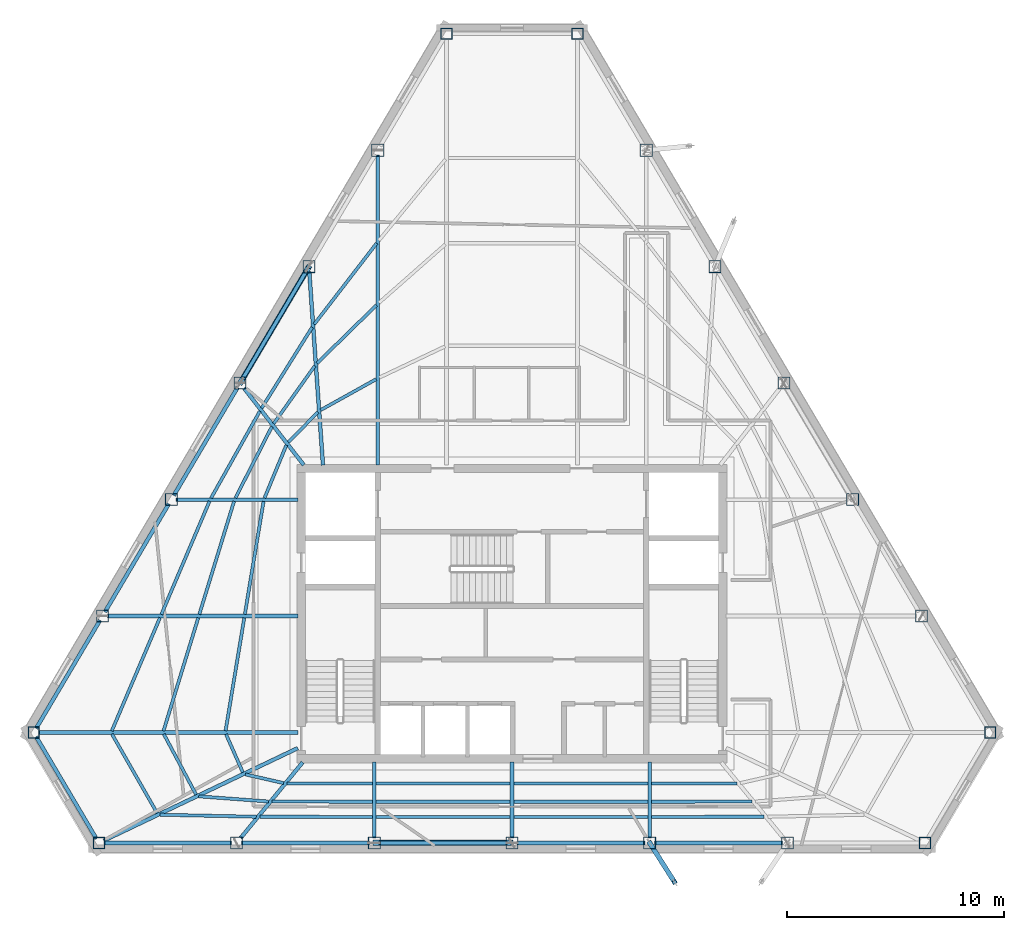
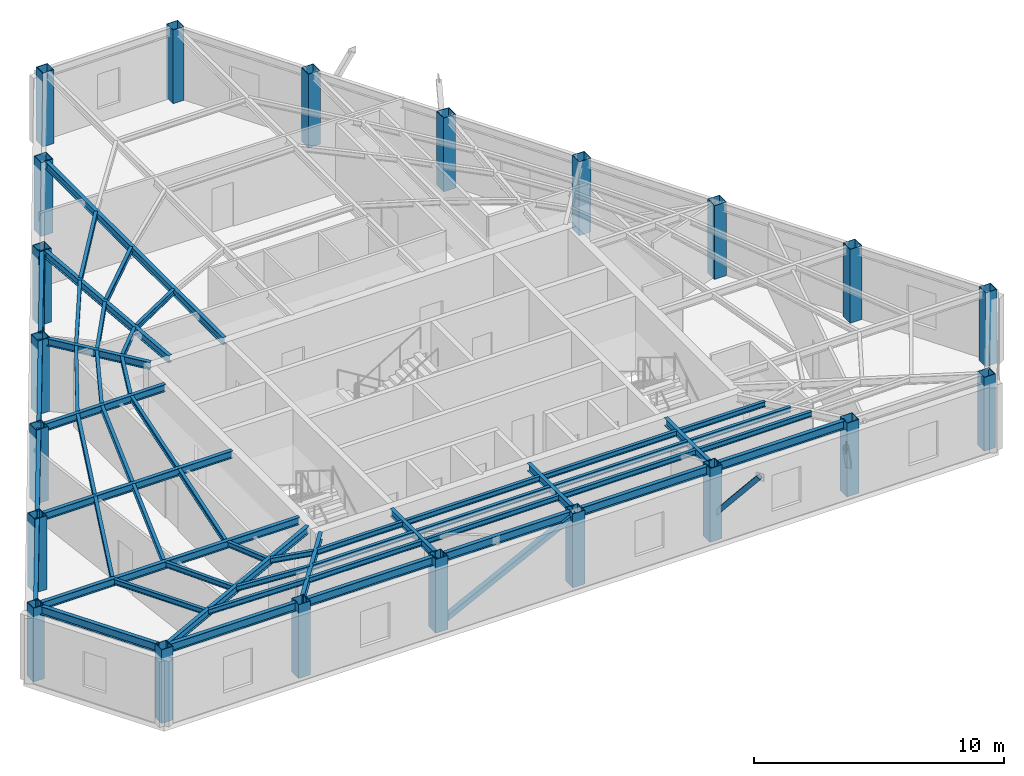
# One storey, part 1 of 10: 54 beams, 21 columns, 3 members.
"""IFC4 building model written with IfcOpenShell, lengths in metres."""

from ifc_helpers import new_model, si_unit, direction, frame, origin, origin_2d, place, context, subcontext, project, spatial, hollow_rectangle, i_section, extrude, material, material_profile, profile_set, type_object, element, save


model = new_model("IFC4")

# Units and contexts
model_context = context("Model", 3, precision=1e-05, world=origin(), true_north=direction((0.0, 1.0)))
body_context = subcontext(model_context, "Body", "Model", "MODEL_VIEW")
ifc_project = project(units=[si_unit("LENGTHUNIT", "METRE"), si_unit("AREAUNIT", "SQUARE_METRE"), si_unit("VOLUMEUNIT", "CUBIC_METRE"), si_unit("PLANEANGLEUNIT", "RADIAN"), si_unit("MASSUNIT", "GRAM", prefix="KILO")], contexts=[model_context])

# Site, building, storey
site_placement = place(None, origin())
site = spatial("IfcSite", under=ifc_project, at=site_placement, CompositionType="ELEMENT")
building_placement = place(site_placement, origin())
building = spatial("IfcBuilding", under=site, at=building_placement, Name="Kavelnor Concourse Tower", CompositionType="ELEMENT")
storey_placement = place(building_placement, frame((0.0, 0.0, 274.14990234375)))
storey = spatial("IfcBuildingStorey", under=building, at=storey_placement, Name="L69", CompositionType="ELEMENT", Elevation=274.14990234375)

# Columns
ifc_material = material(Name="Steel Grade 350", Category="steel")
ifc_material_profile_1 = material_profile(ifc_material, hollow_rectangle(XDim=0.52001953125, YDim=0.52001953125, WallThickness=0.02392578125, at=origin_2d()), Name="SHS 520x520x24")
ifc_profile_set_1 = profile_set([ifc_material_profile_1], Name="Steel Grade 350")
column_type_1 = type_object("IfcColumnType", Name="COL-FOLD-Z4", PredefinedType="COLUMN", material=ifc_profile_set_1)
for number, where, z_axis, x_axis, name in (
    (1, (34.9853515625, 42.81396484375, 0.0), (0.0, 0.0, 1.0), (1.0, 0.0, 0.0), "L69 Perimeter Corner-Fold Column F0-B0"),
    (2, (15.963623046875, 10.622314453125, 0.0), (0.0, 0.0, 1.0), (1.0, 0.0, 0.0), "L69 Perimeter Corner-Fold Column F0-B6"),
    (3, (18.968505859375, 5.536865234375, 0.0), (0.0, 0.0, 1.0), (1.0, 0.0, 0.0), "L69 Perimeter Corner-Fold Column F1-B0"),
    (4, (57.031494140625, 5.536865234375, 0.0), (0.0, 0.0, 1.0), (1.0, 0.0, 0.0), "L69 Perimeter Corner-Fold Column F1-B6"),
    (5, (60.036376953125, 10.622314453125, 0.0), (0.0, 0.0, 1.0), (1.0, 0.0, 0.0), "L69 Perimeter Corner-Fold Column F2-B0"),
    (6, (41.0146484375, 42.81396484375, 0.0), (0.0, 0.0, 1.0), (1.0, 0.0, 0.0), "L69 Perimeter Corner-Fold Column F2-B6"),
):
    element("IfcColumn", number, at=place(storey_placement, frame(where, z_axis=z_axis, x_axis=x_axis)), inside=storey, type_object=column_type_1, Name=name, PredefinedType="COLUMN", context=body_context, shape_type="SweptSolid", body=[
        extrude(hollow_rectangle(XDim=0.52001953125, YDim=0.52001953125, WallThickness=0.02392578125, at=origin_2d()), origin(), (0.0, 0.0, 1.0), 3.610107421875),
    ])
ifc_material_profile_2 = material_profile(ifc_material, hollow_rectangle(XDim=0.56005859375, YDim=0.56005859375, WallThickness=0.02490234375, at=origin_2d()), Name="SHS 560x560x25")
ifc_profile_set_2 = profile_set([ifc_material_profile_2], Name="Steel Grade 350")
column_type_2 = type_object("IfcColumnType", Name="COL-TUBE-Z4", PredefinedType="COLUMN", material=ifc_profile_set_2)
for number, where, z_axis, x_axis, name in (
    (7, (31.81494140625, 37.448486328125, 0.0), (0.0, 0.0, 1.0), (1.0, 0.0, 0.0), "L69 Perimeter Framed-Tube Column F0-B1"),
    (8, (28.644775390625, 32.08349609375, 0.0), (0.0, 0.0, 1.0), (1.0, 0.0, 0.0), "L69 Perimeter Framed-Tube Column F0-B2"),
    (9, (25.474609375, 26.718017578125, 0.0), (0.0, 0.0, 1.0), (1.0, 0.0, 0.0), "L69 Perimeter Framed-Tube Column F0-B3"),
    (10, (22.30419921875, 21.352783203125, 0.0), (0.0, 0.0, 1.0), (1.0, 0.0, 0.0), "L69 Perimeter Framed-Tube Column F0-B4"),
    (11, (19.1337890625, 15.987548828125, 0.0), (0.0, 0.0, 1.0), (1.0, 0.0, 0.0), "L69 Perimeter Framed-Tube Column F0-B5"),
    (12, (25.3125, 5.536865234375, 0.0), (0.0, 0.0, 1.0), (1.0, 0.0, 0.0), "L69 Perimeter Framed-Tube Column F1-B1"),
    (13, (31.65625, 5.536865234375, 0.0), (0.0, 0.0, 1.0), (1.0, 0.0, 0.0), "L69 Perimeter Framed-Tube Column F1-B2"),
    (14, (38.0, 5.536865234375, 0.0), (0.0, 0.0, 1.0), (1.0, 0.0, 0.0), "L69 Perimeter Framed-Tube Column F1-B3"),
    (15, (44.34375, 5.536865234375, 0.0), (0.0, 0.0, 1.0), (1.0, 0.0, 0.0), "L69 Perimeter Framed-Tube Column F1-B4"),
    (16, (50.6875, 5.536865234375, 0.0), (0.0, 0.0, 1.0), (1.0, 0.0, 0.0), "L69 Perimeter Framed-Tube Column F1-B5"),
    (17, (56.8662109375, 15.987548828125, 0.0), (0.0, 0.0, 1.0), (1.0, 0.0, 0.0), "L69 Perimeter Framed-Tube Column F2-B1"),
    (18, (53.69580078125, 21.352783203125, 0.0), (0.0, 0.0, 1.0), (1.0, 0.0, 0.0), "L69 Perimeter Framed-Tube Column F2-B2"),
    (19, (50.525390625, 26.718017578125, 0.0), (0.0, 0.0, 1.0), (1.0, 0.0, 0.0), "L69 Perimeter Framed-Tube Column F2-B3"),
    (20, (47.355224609375, 32.08349609375, 0.0), (0.0, 0.0, 1.0), (1.0, 0.0, 0.0), "L69 Perimeter Framed-Tube Column F2-B4"),
    (21, (44.18505859375, 37.448486328125, 0.0), (0.0, 0.0, 1.0), (1.0, 0.0, 0.0), "L69 Perimeter Framed-Tube Column F2-B5"),
):
    element("IfcColumn", number, at=place(storey_placement, frame(where, z_axis=z_axis, x_axis=x_axis)), inside=storey, type_object=column_type_2, Name=name, PredefinedType="COLUMN", context=body_context, shape_type="SweptSolid", body=[
        extrude(hollow_rectangle(XDim=0.56005859375, YDim=0.56005859375, WallThickness=0.02490234375, at=origin_2d()), origin(), (0.0, 0.0, 1.0), 3.610107421875),
    ])

# Beams
ifc_material_profile_3 = material_profile(ifc_material, i_section(OverallWidth=0.14599609375, OverallDepth=0.256103515625, WebThickness=0.00634765625, FlangeThickness=0.010986328125, at=origin_2d()), Name="250UB37")
ifc_profile_set_3 = profile_set([ifc_material_profile_3], Name="Steel Grade 350")
beam_type_1 = type_object("IfcBeamType", Name="BM-JOIST-250", PredefinedType="JOIST", material=ifc_profile_set_3)
beam_1_placement = place(storey_placement, frame((25.66650390625, 15.90673828125, 3.482177734375), z_axis=(-0.163212884705, -0.986590874814, 0.0), x_axis=(0.986590874814, -0.163212884705, 0.0)))
element("IfcBeam", 22, at=beam_1_placement, inside=storey, type_object=beam_type_1, Name="L69 Secondary Composite Joist 01-1", PredefinedType="JOIST", context=body_context, shape_type="SweptSolid", body=[
    extrude(i_section(OverallWidth=0.14599609375, OverallDepth=0.256103515625, WebThickness=0.00634765625, FlangeThickness=0.010986328125, at=origin_2d()), origin(), (0.0, 0.0, 1.0), 5.2744140625),
])
beam_2_placement = place(storey_placement, frame((23.547119140625, 15.9091796875, 3.482177734375), z_axis=(-0.293704851404, -0.955896155585, 0.0), x_axis=(0.955896155585, -0.293704851404, 0.0)))
element("IfcBeam", 23, at=beam_2_placement, inside=storey, type_object=beam_type_1, Name="L69 Secondary Composite Joist 01-2", PredefinedType="JOIST", context=body_context, shape_type="SweptSolid", body=[
    extrude(i_section(OverallWidth=0.14599609375, OverallDepth=0.256103515625, WebThickness=0.00634765625, FlangeThickness=0.010986328125, at=origin_2d()), origin(), (0.0, 0.0, 1.0), 5.44873046875),
])
beam_3_placement = place(storey_placement, frame((21.781982421875, 15.912109375, 3.482177734375), z_axis=(-0.391500058088, -0.920178083046, 0.0), x_axis=(0.920178083046, -0.391500058088, 0.0)))
element("IfcBeam", 24, at=beam_3_placement, inside=storey, type_object=beam_type_1, Name="L69 Secondary Composite Joist 01-3", PredefinedType="JOIST", context=body_context, shape_type="SweptSolid", body=[
    extrude(i_section(OverallWidth=0.14599609375, OverallDepth=0.256103515625, WebThickness=0.00634765625, FlangeThickness=0.010986328125, at=origin_2d()), origin(), (0.0, 0.0, 1.0), 5.666748046875),
])
beam_4_placement = place(storey_placement, frame((24.8251953125, 10.547119140625, 3.482177734375), z_axis=(0.40265770896, -0.91535062649, 0.0), x_axis=(0.91535062649, 0.40265770896, 0.0)))
element("IfcBeam", 25, at=beam_4_placement, inside=storey, type_object=beam_type_1, Name="L69 Secondary Composite Joist 02-1", PredefinedType="JOIST", context=body_context, shape_type="SweptSolid", body=[
    extrude(i_section(OverallWidth=0.14599609375, OverallDepth=0.256103515625, WebThickness=0.00634765625, FlangeThickness=0.010986328125, at=origin_2d()), origin(), (0.0, 0.0, 1.0), 1.92138671875),
])
beam_5_placement = place(storey_placement, frame((21.961181640625, 10.5498046875, 3.482177734375), z_axis=(0.470371602225, -0.88246844466, 0.0), x_axis=(0.88246844466, 0.470371602225, 0.0)))
element("IfcBeam", 26, at=beam_5_placement, inside=storey, type_object=beam_type_1, Name="L69 Secondary Composite Joist 02-2", PredefinedType="JOIST", context=body_context, shape_type="SweptSolid", body=[
    extrude(i_section(OverallWidth=0.14599609375, OverallDepth=0.256103515625, WebThickness=0.00634765625, FlangeThickness=0.010986328125, at=origin_2d()), origin(), (0.0, 0.0, 1.0), 3.158935546875),
])
beam_6_placement = place(storey_placement, frame((19.572021484375, 10.551025390625, 3.482177734375), z_axis=(0.496589958809, -0.86798526071, 0.0), x_axis=(0.86798526071, 0.496589958809, 0.0)))
element("IfcBeam", 27, at=beam_6_placement, inside=storey, type_object=beam_type_1, Name="L69 Secondary Composite Joist 02-3", PredefinedType="JOIST", context=body_context, shape_type="SweptSolid", body=[
    extrude(i_section(OverallWidth=0.14599609375, OverallDepth=0.256103515625, WebThickness=0.00634765625, FlangeThickness=0.010986328125, at=origin_2d()), origin(), (0.0, 0.0, 1.0), 4.196533203125),
])
beam_7_placement = place(storey_placement, frame((25.7119140625, 8.695068359375, 3.482177734375), z_axis=(0.975037356762, -0.222040881188, 0.0), x_axis=(0.222040881188, 0.975037356762, 0.0)))
element("IfcBeam", 28, at=beam_7_placement, inside=storey, type_object=beam_type_1, Name="L69 Secondary Composite Joist 03-1", PredefinedType="JOIST", context=body_context, shape_type="SweptSolid", body=[
    extrude(i_section(OverallWidth=0.14599609375, OverallDepth=0.256103515625, WebThickness=0.00634765625, FlangeThickness=0.010986328125, at=origin_2d()), origin(), (0.0, 0.0, 1.0), 1.809814453125),
])
beam_8_placement = place(storey_placement, frame((23.567138671875, 7.683837890625, 3.482177734375), z_axis=(0.997260120834, -0.073974667245, 0.0), x_axis=(0.073974667245, 0.997260120834, 0.0)))
element("IfcBeam", 29, at=beam_8_placement, inside=storey, type_object=beam_type_1, Name="L69 Secondary Composite Joist 03-2", PredefinedType="JOIST", context=body_context, shape_type="SweptSolid", body=[
    extrude(i_section(OverallWidth=0.14599609375, OverallDepth=0.256103515625, WebThickness=0.00634765625, FlangeThickness=0.010986328125, at=origin_2d()), origin(), (0.0, 0.0, 1.0), 3.23095703125),
])
beam_9_placement = place(storey_placement, frame((21.77880859375, 6.835693359375, 3.482177734375), z_axis=(0.999783986055, -0.0207841581, 0.0), x_axis=(0.0207841581, 0.999783986055, 0.0)))
element("IfcBeam", 30, at=beam_9_placement, inside=storey, type_object=beam_type_1, Name="L69 Secondary Composite Joist 03-3", PredefinedType="JOIST", context=body_context, shape_type="SweptSolid", body=[
    extrude(i_section(OverallWidth=0.14599609375, OverallDepth=0.256103515625, WebThickness=0.00634765625, FlangeThickness=0.010986328125, at=origin_2d()), origin(), (0.0, 0.0, 1.0), 4.440185546875),
])
beam_10_placement = place(storey_placement, frame((27.638671875, 8.275146484375, 3.482177734375), z_axis=(0.999999507417, 0.000992555342, 0.0), x_axis=(-0.000992555342, 0.999999507417, 0.0)))
element("IfcBeam", 31, at=beam_10_placement, inside=storey, type_object=beam_type_1, Name="L69 Secondary Composite Joist 04-1", PredefinedType="JOIST", context=body_context, shape_type="SweptSolid", body=[
    extrude(i_section(OverallWidth=0.14599609375, OverallDepth=0.256103515625, WebThickness=0.00634765625, FlangeThickness=0.010986328125, at=origin_2d()), origin(), (0.0, 0.0, 1.0), 3.935546875),
])
beam_11_placement = place(storey_placement, frame((26.953125, 7.438720703125, 3.482177734375), z_axis=(0.999999994418, -0.000105663567, 0.0), x_axis=(0.000105663567, 0.999999994418, 0.0)))
element("IfcBeam", 32, at=beam_11_placement, inside=storey, type_object=beam_type_1, Name="L69 Secondary Composite Joist 04-2", PredefinedType="JOIST", context=body_context, shape_type="SweptSolid", body=[
    extrude(i_section(OverallWidth=0.14599609375, OverallDepth=0.256103515625, WebThickness=0.00634765625, FlangeThickness=0.010986328125, at=origin_2d()), origin(), (0.0, 0.0, 1.0), 4.62109375),
])
beam_12_placement = place(storey_placement, frame((26.3818359375, 6.74169921875, 3.482177734375), z_axis=(0.99999971702, -0.000752303718, 0.0), x_axis=(0.000752303718, 0.99999971702, 0.0)))
element("IfcBeam", 33, at=beam_12_placement, inside=storey, type_object=beam_type_1, Name="L69 Secondary Composite Joist 04-3", PredefinedType="JOIST", context=body_context, shape_type="SweptSolid", body=[
    extrude(i_section(OverallWidth=0.14599609375, OverallDepth=0.256103515625, WebThickness=0.00634765625, FlangeThickness=0.010986328125, at=origin_2d()), origin(), (0.0, 0.0, 1.0), 5.1923828125),
])
for number, where, z_axis, x_axis, name in (
    (34, (31.73828125, 8.279052734375, 3.482177734375), (1.0, 0.0, 0.0), (0.0, 1.0, 0.0), "L69 Secondary Composite Joist 05-1"),
    (35, (31.73828125, 7.438232421875, 3.482177734375), (1.0, 0.0, 0.0), (0.0, 1.0, 0.0), "L69 Secondary Composite Joist 05-2"),
    (36, (31.73828125, 6.73779296875, 3.482177734375), (1.0, 0.0, 0.0), (0.0, 1.0, 0.0), "L69 Secondary Composite Joist 05-3"),
    (37, (38.08203125, 8.279052734375, 3.482177734375), (1.0, 0.0, 0.0), (0.0, 1.0, 0.0), "L69 Secondary Composite Joist 06-1"),
    (38, (38.08203125, 7.438232421875, 3.482177734375), (1.0, 0.0, 0.0), (0.0, 1.0, 0.0), "L69 Secondary Composite Joist 06-2"),
    (39, (38.08203125, 6.73779296875, 3.482177734375), (1.0, 0.0, 0.0), (0.0, 1.0, 0.0), "L69 Secondary Composite Joist 06-3"),
):
    element("IfcBeam", number, at=place(storey_placement, frame(where, z_axis=z_axis, x_axis=x_axis)), inside=storey, type_object=beam_type_1, Name=name, PredefinedType="JOIST", context=body_context, shape_type="SweptSolid", body=[
        extrude(i_section(OverallWidth=0.14599609375, OverallDepth=0.256103515625, WebThickness=0.00634765625, FlangeThickness=0.010986328125, at=origin_2d()), origin(), (0.0, 0.0, 1.0), 6.1796875),
    ])
beam_13_placement = place(storey_placement, frame((44.42578125, 8.279052734375, 3.482177734375), z_axis=(0.999999507417, -0.000992555342, 0.0), x_axis=(0.000992555342, 0.999999507417, 0.0)))
element("IfcBeam", 40, at=beam_13_placement, inside=storey, type_object=beam_type_1, Name="L69 Secondary Composite Joist 07-1", PredefinedType="JOIST", context=body_context, shape_type="SweptSolid", body=[
    extrude(i_section(OverallWidth=0.14599609375, OverallDepth=0.256103515625, WebThickness=0.00634765625, FlangeThickness=0.010986328125, at=origin_2d()), origin(), (0.0, 0.0, 1.0), 3.935546875),
])
beam_14_placement = place(storey_placement, frame((44.42578125, 7.438232421875, 3.482177734375), z_axis=(0.999999994418, 0.000105663567, 0.0), x_axis=(-0.000105663567, 0.999999994418, 0.0)))
element("IfcBeam", 41, at=beam_14_placement, inside=storey, type_object=beam_type_1, Name="L69 Secondary Composite Joist 07-2", PredefinedType="JOIST", context=body_context, shape_type="SweptSolid", body=[
    extrude(i_section(OverallWidth=0.14599609375, OverallDepth=0.256103515625, WebThickness=0.00634765625, FlangeThickness=0.010986328125, at=origin_2d()), origin(), (0.0, 0.0, 1.0), 4.62109375),
])
beam_15_placement = place(storey_placement, frame((44.42578125, 6.73779296875, 3.482177734375), z_axis=(0.99999971702, 0.000752303718, 0.0), x_axis=(-0.000752303718, 0.99999971702, 0.0)))
element("IfcBeam", 42, at=beam_15_placement, inside=storey, type_object=beam_type_1, Name="L69 Secondary Composite Joist 07-3", PredefinedType="JOIST", context=body_context, shape_type="SweptSolid", body=[
    extrude(i_section(OverallWidth=0.14599609375, OverallDepth=0.256103515625, WebThickness=0.00634765625, FlangeThickness=0.010986328125, at=origin_2d()), origin(), (0.0, 0.0, 1.0), 5.1923828125),
])
beam_16_placement = place(storey_placement, frame((31.743408203125, 26.90087890625, 3.482177734375), z_axis=(-0.873846112907, -0.486202602788, 0.0), x_axis=(0.486202602788, -0.873846112907, 0.0)))
element("IfcBeam", 43, at=beam_16_placement, inside=storey, type_object=beam_type_1, Name="L69 Secondary Composite Joist 18-1", PredefinedType="JOIST", context=body_context, shape_type="SweptSolid", body=[
    extrude(i_section(OverallWidth=0.14599609375, OverallDepth=0.256103515625, WebThickness=0.00634765625, FlangeThickness=0.010986328125, at=origin_2d()), origin(), (0.0, 0.0, 1.0), 2.925537109375),
])
beam_17_placement = place(storey_placement, frame((31.75634765625, 30.312744140625, 3.482177734375), z_axis=(-0.714755648528, -0.699374265253, 0.0), x_axis=(0.699374265253, -0.714755648528, 0.0)))
element("IfcBeam", 44, at=beam_17_placement, inside=storey, type_object=beam_type_1, Name="L69 Secondary Composite Joist 18-2", PredefinedType="JOIST", context=body_context, shape_type="SweptSolid", body=[
    extrude(i_section(OverallWidth=0.14599609375, OverallDepth=0.256103515625, WebThickness=0.00634765625, FlangeThickness=0.010986328125, at=origin_2d()), origin(), (0.0, 0.0, 1.0), 3.8251953125),
])
beam_18_placement = place(storey_placement, frame((31.764892578125, 33.162841796875, 3.482177734375), z_axis=(-0.610513952254, -0.792005501308, 0.0), x_axis=(0.792005501308, -0.610513952254, 0.0)))
element("IfcBeam", 45, at=beam_18_placement, inside=storey, type_object=beam_type_1, Name="L69 Secondary Composite Joist 18-3", PredefinedType="JOIST", context=body_context, shape_type="SweptSolid", body=[
    extrude(i_section(OverallWidth=0.14599609375, OverallDepth=0.256103515625, WebThickness=0.00634765625, FlangeThickness=0.010986328125, at=origin_2d()), origin(), (0.0, 0.0, 1.0), 4.713623046875),
])
beam_19_placement = place(storey_placement, frame((29.0576171875, 25.380126953125, 3.482177734375), z_axis=(-0.702311290202, -0.711869968221, 0.0), x_axis=(0.711869968221, -0.702311290202, 0.0)))
element("IfcBeam", 46, at=beam_19_placement, inside=storey, type_object=beam_type_1, Name="L69 Secondary Composite Joist 19-1", PredefinedType="JOIST", context=body_context, shape_type="SweptSolid", body=[
    extrude(i_section(OverallWidth=0.14599609375, OverallDepth=0.256103515625, WebThickness=0.00634765625, FlangeThickness=0.010986328125, at=origin_2d()), origin(), (0.0, 0.0, 1.0), 1.941162109375),
])
beam_20_placement = place(storey_placement, frame((28.916015625, 27.513427734375, 3.482177734375), z_axis=(-0.580352965248, -0.814365050655, 0.0), x_axis=(0.814365050655, -0.580352965248, 0.0)))
element("IfcBeam", 47, at=beam_20_placement, inside=storey, type_object=beam_type_1, Name="L69 Secondary Composite Joist 19-2", PredefinedType="JOIST", context=body_context, shape_type="SweptSolid", body=[
    extrude(i_section(OverallWidth=0.14599609375, OverallDepth=0.256103515625, WebThickness=0.00634765625, FlangeThickness=0.010986328125, at=origin_2d()), origin(), (0.0, 0.0, 1.0), 3.262451171875),
])
beam_21_placement = place(storey_placement, frame((28.793701171875, 29.295166015625, 3.482177734375), z_axis=(-0.529459435071, -0.848335256025, 0.0), x_axis=(0.848335256025, -0.529459435071, 0.0)))
element("IfcBeam", 48, at=beam_21_placement, inside=storey, type_object=beam_type_1, Name="L69 Secondary Composite Joist 19-3", PredefinedType="JOIST", context=body_context, shape_type="SweptSolid", body=[
    extrude(i_section(OverallWidth=0.14599609375, OverallDepth=0.256103515625, WebThickness=0.00634765625, FlangeThickness=0.010986328125, at=origin_2d()), origin(), (0.0, 0.0, 1.0), 4.39404296875),
])
beam_22_placement = place(storey_placement, frame((27.60546875, 23.8642578125, 3.482177734375), z_axis=(-0.381956272645, -0.924180396777, 0.0), x_axis=(0.924180396777, -0.381956272645, 0.0)))
element("IfcBeam", 49, at=beam_22_placement, inside=storey, type_object=beam_type_1, Name="L69 Secondary Composite Joist 20-1", PredefinedType="JOIST", context=body_context, shape_type="SweptSolid", body=[
    extrude(i_section(OverallWidth=0.14599609375, OverallDepth=0.256103515625, WebThickness=0.00634765625, FlangeThickness=0.010986328125, at=origin_2d()), origin(), (0.0, 0.0, 1.0), 2.63525390625),
])
beam_23_placement = place(storey_placement, frame((26.93798828125, 24.716796875, 3.482177734375), z_axis=(-0.454860774217, -0.890562561575, 0.0), x_axis=(0.890562561575, -0.454860774217, 0.0)))
element("IfcBeam", 50, at=beam_23_placement, inside=storey, type_object=beam_type_1, Name="L69 Secondary Composite Joist 20-2", PredefinedType="JOIST", context=body_context, shape_type="SweptSolid", body=[
    extrude(i_section(OverallWidth=0.14599609375, OverallDepth=0.256103515625, WebThickness=0.00634765625, FlangeThickness=0.010986328125, at=origin_2d()), origin(), (0.0, 0.0, 1.0), 3.6953125),
])
beam_24_placement = place(storey_placement, frame((26.3837890625, 25.426513671875, 3.482177734375), z_axis=(-0.489571652751, -0.87196307079, 0.0), x_axis=(0.87196307079, -0.489571652751, 0.0)))
element("IfcBeam", 51, at=beam_24_placement, inside=storey, type_object=beam_type_1, Name="L69 Secondary Composite Joist 20-3", PredefinedType="JOIST", context=body_context, shape_type="SweptSolid", body=[
    extrude(i_section(OverallWidth=0.14599609375, OverallDepth=0.256103515625, WebThickness=0.00634765625, FlangeThickness=0.010986328125, at=origin_2d()), origin(), (0.0, 0.0, 1.0), 4.58984375),
])
beam_25_placement = place(storey_placement, frame((26.55419921875, 21.27197265625, 3.482177734375), z_axis=(-0.163220338599, -0.986589641679, 0.0), x_axis=(0.986589641679, -0.163220338599, 0.0)))
element("IfcBeam", 52, at=beam_25_placement, inside=storey, type_object=beam_type_1, Name="L69 Secondary Composite Joist 21-1", PredefinedType="JOIST", context=body_context, shape_type="SweptSolid", body=[
    extrude(i_section(OverallWidth=0.14599609375, OverallDepth=0.256103515625, WebThickness=0.00634765625, FlangeThickness=0.010986328125, at=origin_2d()), origin(), (0.0, 0.0, 1.0), 5.274169921875),
])
beam_26_placement = place(storey_placement, frame((25.19580078125, 21.2744140625, 3.482177734375), z_axis=(-0.293745791729, -0.955883575464, 0.0), x_axis=(0.955883575464, -0.293745791729, 0.0)))
element("IfcBeam", 53, at=beam_26_placement, inside=storey, type_object=beam_type_1, Name="L69 Secondary Composite Joist 21-2", PredefinedType="JOIST", context=body_context, shape_type="SweptSolid", body=[
    extrude(i_section(OverallWidth=0.14599609375, OverallDepth=0.256103515625, WebThickness=0.00634765625, FlangeThickness=0.010986328125, at=origin_2d()), origin(), (0.0, 0.0, 1.0), 5.448974609375),
])
beam_27_placement = place(storey_placement, frame((24.064453125, 21.27734375, 3.482177734375), z_axis=(-0.391463577144, -0.920193603417, 0.0), x_axis=(0.920193603417, -0.391463577144, 0.0)))
element("IfcBeam", 54, at=beam_27_placement, inside=storey, type_object=beam_type_1, Name="L69 Secondary Composite Joist 21-3", PredefinedType="JOIST", context=body_context, shape_type="SweptSolid", body=[
    extrude(i_section(OverallWidth=0.14599609375, OverallDepth=0.256103515625, WebThickness=0.00634765625, FlangeThickness=0.010986328125, at=origin_2d()), origin(), (0.0, 0.0, 1.0), 5.66650390625),
])
ifc_material_profile_4 = material_profile(ifc_material, i_section(OverallWidth=0.172119140625, OverallDepth=0.35888671875, WebThickness=0.008056640625, FlangeThickness=0.012939453125, at=origin_2d()), Name="360UB56")
ifc_profile_set_4 = profile_set([ifc_material_profile_4], Name="Steel Grade 350")
beam_type_2 = type_object("IfcBeamType", Name="BM-PRIMARY-360", PredefinedType="BEAM", material=ifc_profile_set_4)
beam_28_placement = place(storey_placement, frame((31.81494140625, 22.93994140625, 3.4306640625), z_axis=(0.0, 1.0, 0.0), x_axis=(-1.0, 0.0, 0.0)))
element("IfcBeam", 55, at=beam_28_placement, inside=storey, type_object=beam_type_2, Name="L69 Primary Floor Girder F0-B1", PredefinedType="BEAM", context=body_context, shape_type="SweptSolid", body=[
    extrude(i_section(OverallWidth=0.172119140625, OverallDepth=0.35888671875, WebThickness=0.008056640625, FlangeThickness=0.012939453125, at=origin_2d()), origin(), (0.0, 0.0, 1.0), 14.28857421875),
])
beam_29_placement = place(storey_placement, frame((29.292236328125, 22.940185546875, 3.4306640625), z_axis=(-0.070632200105, 0.997502427219, 0.0), x_axis=(-0.997502427219, -0.070632200105, 0.0)))
element("IfcBeam", 56, at=beam_29_placement, inside=storey, type_object=beam_type_2, Name="L69 Primary Floor Girder F0-B2", PredefinedType="BEAM", context=body_context, shape_type="SweptSolid", body=[
    extrude(i_section(OverallWidth=0.172119140625, OverallDepth=0.35888671875, WebThickness=0.008056640625, FlangeThickness=0.012939453125, at=origin_2d()), origin(), (0.0, 0.0, 1.0), 8.945556640625),
])
beam_30_placement = place(storey_placement, frame((28.408447265625, 22.948486328125, 3.4306640625), z_axis=(-0.614189176574, 0.789158827727, 0.0), x_axis=(-0.789158827727, -0.614189176574, 0.0)))
element("IfcBeam", 57, at=beam_30_placement, inside=storey, type_object=beam_type_2, Name="L69 Primary Floor Girder F0-B3", PredefinedType="BEAM", context=body_context, shape_type="SweptSolid", body=[
    extrude(i_section(OverallWidth=0.172119140625, OverallDepth=0.35888671875, WebThickness=0.008056640625, FlangeThickness=0.012939453125, at=origin_2d()), origin(), (0.0, 0.0, 1.0), 4.4873046875),
])
beam_31_placement = place(storey_placement, frame((28.139892578125, 21.352783203125, 3.4306640625), z_axis=(-1.0, 0.0, 0.0), x_axis=(0.0, -1.0, 0.0)))
element("IfcBeam", 58, at=beam_31_placement, inside=storey, type_object=beam_type_2, Name="L69 Primary Floor Girder F0-B4", PredefinedType="BEAM", context=body_context, shape_type="SweptSolid", body=[
    extrude(i_section(OverallWidth=0.172119140625, OverallDepth=0.35888671875, WebThickness=0.008056640625, FlangeThickness=0.012939453125, at=origin_2d()), origin(), (0.0, 0.0, 1.0), 5.61572265625),
])
beam_32_placement = place(storey_placement, frame((28.139892578125, 15.987548828125, 3.4306640625), z_axis=(-1.0, 0.0, 0.0), x_axis=(0.0, -1.0, 0.0)))
element("IfcBeam", 59, at=beam_32_placement, inside=storey, type_object=beam_type_2, Name="L69 Primary Floor Girder F0-B5", PredefinedType="BEAM", context=body_context, shape_type="SweptSolid", body=[
    extrude(i_section(OverallWidth=0.172119140625, OverallDepth=0.35888671875, WebThickness=0.008056640625, FlangeThickness=0.012939453125, at=origin_2d()), origin(), (0.0, 0.0, 1.0), 8.785888671875),
])
beam_33_placement = place(storey_placement, frame((28.139892578125, 10.622314453125, 3.4306640625), z_axis=(-1.0, 0.0, 0.0), x_axis=(0.0, -1.0, 0.0)))
element("IfcBeam", 60, at=beam_33_placement, inside=storey, type_object=beam_type_2, Name="L69 Primary Floor Girder F0-B6", PredefinedType="BEAM", context=body_context, shape_type="SweptSolid", body=[
    extrude(i_section(OverallWidth=0.172119140625, OverallDepth=0.35888671875, WebThickness=0.008056640625, FlangeThickness=0.012939453125, at=origin_2d()), origin(), (0.0, 0.0, 1.0), 11.956298828125),
])
beam_34_placement = place(storey_placement, frame((28.135986328125, 9.906982421875, 3.4306640625), z_axis=(-0.902681438806, -0.430309446834, 0.0), x_axis=(0.430309446834, -0.902681438806, 0.0)))
element("IfcBeam", 61, at=beam_34_placement, inside=storey, type_object=beam_type_2, Name="L69 Primary Floor Girder F1-B0", PredefinedType="BEAM", context=body_context, shape_type="SweptSolid", body=[
    extrude(i_section(OverallWidth=0.172119140625, OverallDepth=0.35888671875, WebThickness=0.008056640625, FlangeThickness=0.012939453125, at=origin_2d()), origin(), (0.0, 0.0, 1.0), 9.90771484375),
])
beam_35_placement = place(storey_placement, frame((28.356201171875, 9.2509765625, 3.4306640625), z_axis=(-0.63386898138, -0.77344044014, 0.0), x_axis=(0.77344044014, -0.63386898138, 0.0)))
element("IfcBeam", 62, at=beam_35_placement, inside=storey, type_object=beam_type_2, Name="L69 Primary Floor Girder F1-B1", PredefinedType="BEAM", context=body_context, shape_type="SweptSolid", body=[
    extrude(i_section(OverallWidth=0.172119140625, OverallDepth=0.35888671875, WebThickness=0.008056640625, FlangeThickness=0.012939453125, at=origin_2d()), origin(), (0.0, 0.0, 1.0), 4.505859375),
])
for number, where, z_axis, x_axis, name in (
    (63, (31.65625, 9.260009765625, 3.4306640625), (0.0, -1.0, 0.0), (1.0, 0.0, 0.0), "L69 Primary Floor Girder F1-B2"),
    (64, (38.0, 9.260009765625, 3.4306640625), (0.0, -1.0, 0.0), (1.0, 0.0, 0.0), "L69 Primary Floor Girder F1-B3"),
    (65, (44.34375, 9.260009765625, 3.4306640625), (0.0, -1.0, 0.0), (1.0, 0.0, 0.0), "L69 Primary Floor Girder F1-B4"),
):
    element("IfcBeam", number, at=place(storey_placement, frame(where, z_axis=z_axis, x_axis=x_axis)), inside=storey, type_object=beam_type_2, Name=name, PredefinedType="BEAM", context=body_context, shape_type="SweptSolid", body=[
        extrude(i_section(OverallWidth=0.172119140625, OverallDepth=0.35888671875, WebThickness=0.008056640625, FlangeThickness=0.012939453125, at=origin_2d()), origin(), (0.0, 0.0, 1.0), 3.503173828125),
    ])
ifc_material_profile_5 = material_profile(ifc_material, i_section(OverallWidth=0.177978515625, OverallDepth=0.406005859375, WebThickness=0.0078125, FlangeThickness=0.0126953125, at=origin_2d()), Name="410UB59")
ifc_profile_set_5 = profile_set([ifc_material_profile_5], Name="Steel Grade 350")
beam_type_3 = type_object("IfcBeamType", Name="BM-SPANDREL-Z4", PredefinedType="SPANDREL", material=ifc_profile_set_5)
beam_36_placement = place(storey_placement, frame((28.5302734375, 31.8896484375, 3.406982421875), z_axis=(-0.508696591461, -0.860945862314, 0.0), x_axis=(0.860945862314, -0.508696591461, 0.0)))
element("IfcBeam", 66, at=beam_36_placement, inside=storey, type_object=beam_type_3, Name="L69 Perimeter Tube Spandrel Beam F0-B2", PredefinedType="SPANDREL", context=body_context, shape_type="SweptSolid", body=[
    extrude(i_section(OverallWidth=0.177978515625, OverallDepth=0.406005859375, WebThickness=0.0078125, FlangeThickness=0.0126953125, at=origin_2d()), origin(), (0.0, 0.0, 1.0), 5.78173828125),
])
for number, where, z_axis, x_axis, name in (
    (67, (25.360107421875, 26.5244140625, 3.406982421875), (-0.508709396439, -0.860938296264, 0.0), (0.860938296264, -0.508709396439, 0.0), "L69 Perimeter Tube Spandrel Beam F0-B3"),
    (68, (22.189697265625, 21.1591796875, 3.406982421875), (-0.508727889535, -0.860927368835, 0.0), (0.860927368835, -0.508727889535, 0.0), "L69 Perimeter Tube Spandrel Beam F0-B4"),
    (69, (19.019287109375, 15.7939453125, 3.406982421875), (-0.508678098709, -0.860956788634, 0.0), (0.860956788634, -0.508678098709, 0.0), "L69 Perimeter Tube Spandrel Beam F0-B5"),
):
    element("IfcBeam", number, at=place(storey_placement, frame(where, z_axis=z_axis, x_axis=x_axis)), inside=storey, type_object=beam_type_3, Name=name, PredefinedType="SPANDREL", context=body_context, shape_type="SweptSolid", body=[
        extrude(i_section(OverallWidth=0.177978515625, OverallDepth=0.406005859375, WebThickness=0.0078125, FlangeThickness=0.0126953125, at=origin_2d()), origin(), (0.0, 0.0, 1.0), 5.781982421875),
    ])
for number, where, z_axis, x_axis, name in (
    (70, (19.193603515625, 5.536865234375, 3.406982421875), (1.0, 0.0, 0.0), (0.0, 1.0, 0.0), "L69 Perimeter Tube Spandrel Beam F1-B0"),
    (71, (25.537353515625, 5.536865234375, 3.406982421875), (1.0, 0.0, 0.0), (0.0, 1.0, 0.0), "L69 Perimeter Tube Spandrel Beam F1-B1"),
    (72, (31.881103515625, 5.536865234375, 3.406982421875), (1.0, 0.0, 0.0), (0.0, 1.0, 0.0), "L69 Perimeter Tube Spandrel Beam F1-B2"),
    (73, (38.22509765625, 5.536865234375, 3.406982421875), (1.0, 0.0, 0.0), (0.0, 1.0, 0.0), "L69 Perimeter Tube Spandrel Beam F1-B3"),
    (74, (44.56884765625, 5.536865234375, 3.406982421875), (1.0, 0.0, 0.0), (0.0, 1.0, 0.0), "L69 Perimeter Tube Spandrel Beam F1-B4"),
):
    element("IfcBeam", number, at=place(storey_placement, frame(where, z_axis=z_axis, x_axis=x_axis)), inside=storey, type_object=beam_type_3, Name=name, PredefinedType="SPANDREL", context=body_context, shape_type="SweptSolid", body=[
        extrude(i_section(OverallWidth=0.177978515625, OverallDepth=0.406005859375, WebThickness=0.0078125, FlangeThickness=0.0126953125, at=origin_2d()), origin(), (0.0, 0.0, 1.0), 5.893798828125),
    ])
beam_37_placement = place(storey_placement, frame((16.078125, 10.4287109375, 3.406982421875), z_axis=(0.508681078293, -0.860955028202, 0.0), x_axis=(0.860955028202, 0.508681078293, 0.0)))
element("IfcBeam", 75, at=beam_37_placement, inside=storey, type_object=beam_type_3, Name="L69 Chamfer Facet Spandrel Beam C1", PredefinedType="SPANDREL", context=body_context, shape_type="SweptSolid", body=[
    extrude(i_section(OverallWidth=0.177978515625, OverallDepth=0.406005859375, WebThickness=0.0078125, FlangeThickness=0.0126953125, at=origin_2d()), origin(), (0.0, 0.0, 1.0), 5.45703125),
])

# Members
ifc_material_profile_6 = material_profile(ifc_material, hollow_rectangle(XDim=0.219970703125, YDim=0.219970703125, WallThickness=0.013916015625, at=origin_2d()), Name="SHS 220x220x14")
ifc_profile_set_6 = profile_set([ifc_material_profile_6], Name="Steel Grade 350")
member_type_1 = type_object("IfcMemberType", Name="MBR-BALC-STRUT-220", PredefinedType="STRUT", material=ifc_profile_set_6)
member_1_placement = place(storey_placement, frame((44.34375, 5.536865234375, 1.050048828125), z_axis=(0.339540227449, -0.536180952176, 0.772801669555), x_axis=(0.844848306286, 0.535005924608, 0.0)))
element("IfcMember", 76, at=member_1_placement, inside=storey, type_object=member_type_1, Name="L69 Tree Balcony Raking Knee Strut 1-A", PredefinedType="STRUT", context=body_context, shape_type="SweptSolid", body=[
    extrude(hollow_rectangle(XDim=0.219970703125, YDim=0.219970703125, WallThickness=0.013916015625, at=origin_2d()), origin(), (0.0, 0.0, 1.0), 3.370849609375),
])
ifc_material_profile_7 = material_profile(ifc_material, hollow_rectangle(XDim=0.25, YDim=0.25, WallThickness=0.01611328125, at=origin_2d()), Name="SHS 250x250x16")
ifc_profile_set_7 = profile_set([ifc_material_profile_7], Name="Steel Grade 350")
member_type_2 = type_object("IfcMemberType", Name="MBR-TUBE-DIAG-Z4", PredefinedType="BRACE", material=ifc_profile_set_7)
member_2_placement = place(storey_placement, frame((25.474609375, 26.718017578125, 0.22021484375), z_axis=(0.452909514363, 0.766545429123, 0.45528131621), x_axis=(-0.860950704205, 0.508688396692, 0.0)))
element("IfcMember", 77, at=member_2_placement, inside=storey, type_object=member_type_2, Name="L69 Framed-Tube Bracing Diagonal F0-B2", PredefinedType="BRACE", context=body_context, shape_type="SweptSolid", body=[
    extrude(hollow_rectangle(XDim=0.25, YDim=0.25, WallThickness=0.01611328125, at=origin_2d()), origin(), (0.0, 0.0, 1.0), 6.99951171875),
])
member_3_placement = place(storey_placement, frame((31.65625, 5.536865234375, 0.22021484375), z_axis=(0.893586503617, 0.0, 0.448891034164), x_axis=(0.0, 1.0, 0.0)))
element("IfcMember", 78, at=member_3_placement, inside=storey, type_object=member_type_2, Name="L69 Framed-Tube Bracing Diagonal F1-B2", PredefinedType="BRACE", context=body_context, shape_type="SweptSolid", body=[
    extrude(hollow_rectangle(XDim=0.25, YDim=0.25, WallThickness=0.01611328125, at=origin_2d()), origin(), (0.0, 0.0, 1.0), 7.09912109375),
])

save(model, "model.ifc")
